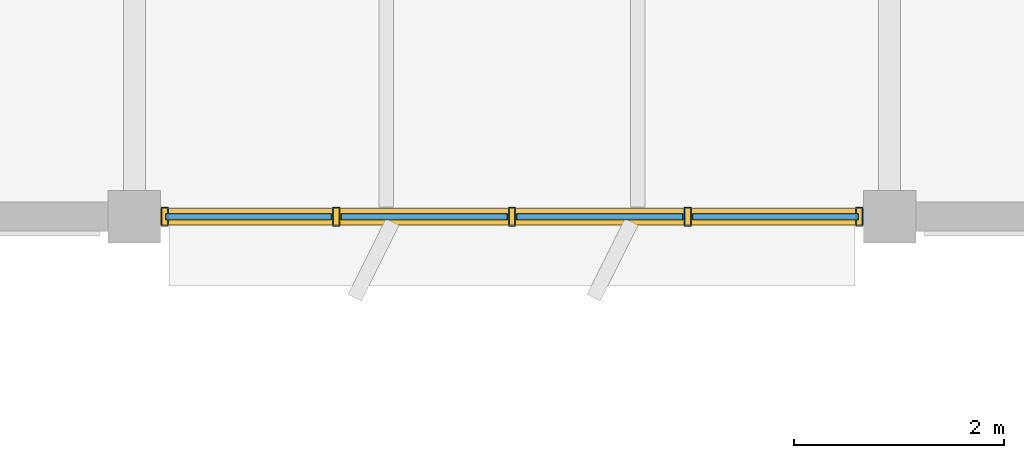
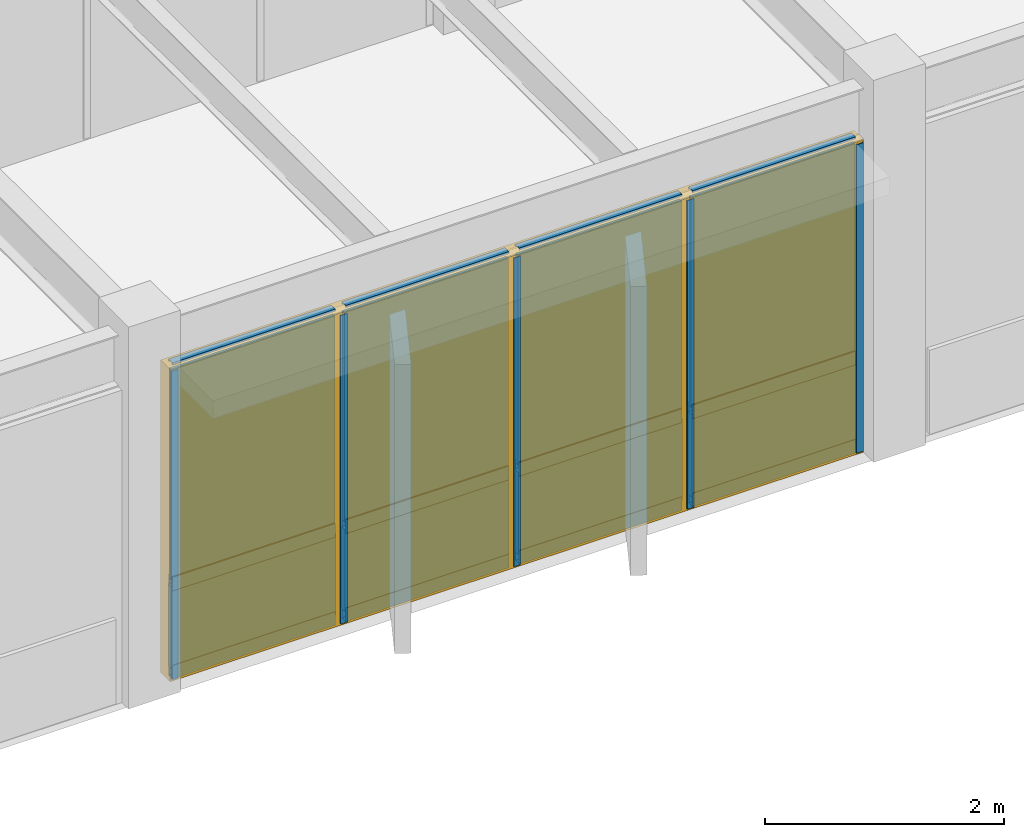
# One storey, part 13 of 23: 17 members, 8 plates, 1 curtain wall.
"""IFC4 building model written with IfcOpenShell, lengths in metres."""

from ifc_helpers import new_model, si_unit, direction, frame, origin, origin_2d, place, context, subcontext, project, spatial, rectangle, hollow_rectangle, extrude, material, layer, layer_set, material_profile, profile_set, type_object, element, aggregate, save


model = new_model("IFC4")

# Units and contexts
model_context = context("Model", 3, precision=1e-05, world=origin(), true_north=direction((0.0, 1.0)))
body_context = subcontext(model_context, "Body", "Model", "MODEL_VIEW")
ifc_project = project(units=[si_unit("LENGTHUNIT", "METRE"), si_unit("AREAUNIT", "SQUARE_METRE"), si_unit("VOLUMEUNIT", "CUBIC_METRE"), si_unit("PLANEANGLEUNIT", "RADIAN"), si_unit("MASSUNIT", "GRAM", prefix="KILO")], contexts=[model_context])

# Member
ifc_material_1 = material(Name="Anodized Aluminium 6063-T6", Category="aluminium")
ifc_material_profile_1 = material_profile(ifc_material_1, hollow_rectangle(XDim=0.06494140625, YDim=0.179931640625, WallThickness=0.00390625, at=origin_2d()), Name="ALU 65x180x4")
ifc_profile_set_1 = profile_set([ifc_material_profile_1], Name="Anodized Aluminium 6063-T6")
member_type_1 = type_object("IfcMemberType", Name="CWM-65X150", PredefinedType="MULLION", material=ifc_profile_set_1)
site_placement = place(None, origin())
building_placement = place(site_placement, origin())
storey_placement = place(building_placement, frame((0.0, 0.0, 21.89990234375)))
member_1_placement = place(storey_placement, frame((86.110107421875, 108.0, 0.02001953125), z_axis=(0.0, 0.0, 1.0), x_axis=(1.0, 0.0, 0.0)))
member_1 = element("IfcMember", 1, at=member_1_placement, type_object=member_type_1, Name="Curtain wall mullion CW-L06-11-15-S-00", PredefinedType="MULLION", context=body_context, shape_type="SweptSolid", body=[
    extrude(hollow_rectangle(XDim=0.06494140625, YDim=0.179931640625, WallThickness=0.00390625, at=origin_2d()), origin(), (0.0, 0.0, 1.0), 3.152099609375),
])

member_2_placement = place(storey_placement, frame((84.47509765625, 108.0, 0.02001953125), z_axis=(0.0, 0.0, 1.0), x_axis=(1.0, 0.0, 0.0)))
member_2 = element("IfcMember", 2, at=member_2_placement, type_object=member_type_1, Name="Curtain wall mullion CW-L06-11-15-S-01", PredefinedType="MULLION", context=body_context, shape_type="SweptSolid", body=[
    extrude(hollow_rectangle(XDim=0.06494140625, YDim=0.179931640625, WallThickness=0.00390625, at=origin_2d()), origin(), (0.0, 0.0, 1.0), 3.152099609375),
])

member_3_placement = place(storey_placement, frame((82.800048828125, 108.0, 0.02001953125), z_axis=(0.0, 0.0, 1.0), x_axis=(1.0, 0.0, 0.0)))
member_3 = element("IfcMember", 3, at=member_3_placement, type_object=member_type_1, Name="Curtain wall mullion CW-L06-11-15-S-02", PredefinedType="MULLION", context=body_context, shape_type="SweptSolid", body=[
    extrude(hollow_rectangle(XDim=0.06494140625, YDim=0.179931640625, WallThickness=0.00390625, at=origin_2d()), origin(), (0.0, 0.0, 1.0), 3.152099609375),
])

member_4_placement = place(storey_placement, frame((81.125, 108.0, 0.02001953125), z_axis=(0.0, 0.0, 1.0), x_axis=(1.0, 0.0, 0.0)))
member_4 = element("IfcMember", 4, at=member_4_placement, type_object=member_type_1, Name="Curtain wall mullion CW-L06-11-15-S-03", PredefinedType="MULLION", context=body_context, shape_type="SweptSolid", body=[
    extrude(hollow_rectangle(XDim=0.06494140625, YDim=0.179931640625, WallThickness=0.00390625, at=origin_2d()), origin(), (0.0, 0.0, 1.0), 3.152099609375),
])

member_5_placement = place(storey_placement, frame((79.489990234375, 108.0, 0.02001953125), z_axis=(0.0, 0.0, 1.0), x_axis=(1.0, 0.0, 0.0)))
member_5 = element("IfcMember", 5, at=member_5_placement, type_object=member_type_1, Name="Curtain wall mullion CW-L06-11-15-S-04", PredefinedType="MULLION", context=body_context, shape_type="SweptSolid", body=[
    extrude(hollow_rectangle(XDim=0.06494140625, YDim=0.179931640625, WallThickness=0.00390625, at=origin_2d()), origin(), (0.0, 0.0, 1.0), 3.152099609375),
])

ifc_material_profile_2 = material_profile(ifc_material_1, hollow_rectangle(XDim=0.06494140625, YDim=0.139892578125, WallThickness=0.00390625, at=origin_2d()), Name="ALU 65x140x4")
ifc_profile_set_2 = profile_set([ifc_material_profile_2], Name="Anodized Aluminium 6063-T6")
member_type_2 = type_object("IfcMemberType", Name="CWT-65X120", PredefinedType="USERDEFINED", material=ifc_profile_set_2)
member_6_placement = place(storey_placement, frame((86.10009765625, 108.0, 0.050048828125), z_axis=(-1.0, 0.0, 0.0), x_axis=(0.0, -1.0, 0.0)))
member_6 = element("IfcMember", 6, at=member_6_placement, type_object=member_type_2, Name="Curtain wall transom CW-L06-11-15-S-1.01", ObjectType="TRANSOM", PredefinedType="USERDEFINED", context=body_context, shape_type="SweptSolid", body=[
    extrude(hollow_rectangle(XDim=0.06494140625, YDim=0.139892578125, WallThickness=0.00390625, at=origin_2d()), origin(), (0.0, 0.0, 1.0), 1.5751953125),
])

member_7_placement = place(storey_placement, frame((84.425048828125, 108.0, 0.050048828125), z_axis=(-1.0, 0.0, 0.0), x_axis=(0.0, -1.0, 0.0)))
member_7 = element("IfcMember", 7, at=member_7_placement, type_object=member_type_2, Name="Curtain wall transom CW-L06-11-15-S-1.02", ObjectType="TRANSOM", PredefinedType="USERDEFINED", context=body_context, shape_type="SweptSolid", body=[
    extrude(hollow_rectangle(XDim=0.06494140625, YDim=0.139892578125, WallThickness=0.00390625, at=origin_2d()), origin(), (0.0, 0.0, 1.0), 1.574951171875),
])

member_8_placement = place(storey_placement, frame((82.75, 108.0, 0.050048828125), z_axis=(-1.0, 0.0, 0.0), x_axis=(0.0, -1.0, 0.0)))
member_8 = element("IfcMember", 8, at=member_8_placement, type_object=member_type_2, Name="Curtain wall transom CW-L06-11-15-S-1.03", ObjectType="TRANSOM", PredefinedType="USERDEFINED", context=body_context, shape_type="SweptSolid", body=[
    extrude(hollow_rectangle(XDim=0.06494140625, YDim=0.139892578125, WallThickness=0.00390625, at=origin_2d()), origin(), (0.0, 0.0, 1.0), 1.574951171875),
])

member_9_placement = place(storey_placement, frame((81.074951171875, 108.0, 0.050048828125), z_axis=(-1.0, 0.0, 0.0), x_axis=(0.0, -1.0, 0.0)))
member_9 = element("IfcMember", 9, at=member_9_placement, type_object=member_type_2, Name="Curtain wall transom CW-L06-11-15-S-1.04", ObjectType="TRANSOM", PredefinedType="USERDEFINED", context=body_context, shape_type="SweptSolid", body=[
    extrude(hollow_rectangle(XDim=0.06494140625, YDim=0.139892578125, WallThickness=0.00390625, at=origin_2d()), origin(), (0.0, 0.0, 1.0), 1.574951171875),
])

member_10_placement = place(storey_placement, frame((86.10009765625, 108.0, 0.9501953125), z_axis=(-1.0, 0.0, 0.0), x_axis=(0.0, -1.0, 0.0)))
member_10 = element("IfcMember", 10, at=member_10_placement, type_object=member_type_2, Name="Curtain wall transom CW-L06-11-15-S-2.01", ObjectType="TRANSOM", PredefinedType="USERDEFINED", context=body_context, shape_type="SweptSolid", body=[
    extrude(hollow_rectangle(XDim=0.06494140625, YDim=0.139892578125, WallThickness=0.00390625, at=origin_2d()), origin(), (0.0, 0.0, 1.0), 1.5751953125),
])

member_11_placement = place(storey_placement, frame((84.425048828125, 108.0, 0.9501953125), z_axis=(-1.0, 0.0, 0.0), x_axis=(0.0, -1.0, 0.0)))
member_11 = element("IfcMember", 11, at=member_11_placement, type_object=member_type_2, Name="Curtain wall transom CW-L06-11-15-S-2.02", ObjectType="TRANSOM", PredefinedType="USERDEFINED", context=body_context, shape_type="SweptSolid", body=[
    extrude(hollow_rectangle(XDim=0.06494140625, YDim=0.139892578125, WallThickness=0.00390625, at=origin_2d()), origin(), (0.0, 0.0, 1.0), 1.574951171875),
])

member_12_placement = place(storey_placement, frame((82.75, 108.0, 0.9501953125), z_axis=(-1.0, 0.0, 0.0), x_axis=(0.0, -1.0, 0.0)))
member_12 = element("IfcMember", 12, at=member_12_placement, type_object=member_type_2, Name="Curtain wall transom CW-L06-11-15-S-2.03", ObjectType="TRANSOM", PredefinedType="USERDEFINED", context=body_context, shape_type="SweptSolid", body=[
    extrude(hollow_rectangle(XDim=0.06494140625, YDim=0.139892578125, WallThickness=0.00390625, at=origin_2d()), origin(), (0.0, 0.0, 1.0), 1.574951171875),
])

member_13_placement = place(storey_placement, frame((81.074951171875, 108.0, 0.9501953125), z_axis=(-1.0, 0.0, 0.0), x_axis=(0.0, -1.0, 0.0)))
member_13 = element("IfcMember", 13, at=member_13_placement, type_object=member_type_2, Name="Curtain wall transom CW-L06-11-15-S-2.04", ObjectType="TRANSOM", PredefinedType="USERDEFINED", context=body_context, shape_type="SweptSolid", body=[
    extrude(hollow_rectangle(XDim=0.06494140625, YDim=0.139892578125, WallThickness=0.00390625, at=origin_2d()), origin(), (0.0, 0.0, 1.0), 1.574951171875),
])

member_14_placement = place(storey_placement, frame((86.10009765625, 108.0, 3.14208984375), z_axis=(-1.0, 0.0, 0.0), x_axis=(0.0, -1.0, 0.0)))
member_14 = element("IfcMember", 14, at=member_14_placement, type_object=member_type_2, Name="Curtain wall transom CW-L06-11-15-S-3.01", ObjectType="TRANSOM", PredefinedType="USERDEFINED", context=body_context, shape_type="SweptSolid", body=[
    extrude(hollow_rectangle(XDim=0.06494140625, YDim=0.139892578125, WallThickness=0.00390625, at=origin_2d()), origin(), (0.0, 0.0, 1.0), 1.5751953125),
])

member_15_placement = place(storey_placement, frame((84.425048828125, 108.0, 3.14208984375), z_axis=(-1.0, 0.0, 0.0), x_axis=(0.0, -1.0, 0.0)))
member_15 = element("IfcMember", 15, at=member_15_placement, type_object=member_type_2, Name="Curtain wall transom CW-L06-11-15-S-3.02", ObjectType="TRANSOM", PredefinedType="USERDEFINED", context=body_context, shape_type="SweptSolid", body=[
    extrude(hollow_rectangle(XDim=0.06494140625, YDim=0.139892578125, WallThickness=0.00390625, at=origin_2d()), origin(), (0.0, 0.0, 1.0), 1.574951171875),
])

member_16_placement = place(storey_placement, frame((82.75, 108.0, 3.14208984375), z_axis=(-1.0, 0.0, 0.0), x_axis=(0.0, -1.0, 0.0)))
member_16 = element("IfcMember", 16, at=member_16_placement, type_object=member_type_2, Name="Curtain wall transom CW-L06-11-15-S-3.03", ObjectType="TRANSOM", PredefinedType="USERDEFINED", context=body_context, shape_type="SweptSolid", body=[
    extrude(hollow_rectangle(XDim=0.06494140625, YDim=0.139892578125, WallThickness=0.00390625, at=origin_2d()), origin(), (0.0, 0.0, 1.0), 1.574951171875),
])

member_17_placement = place(storey_placement, frame((81.074951171875, 108.0, 3.14208984375), z_axis=(-1.0, 0.0, 0.0), x_axis=(0.0, -1.0, 0.0)))
member_17 = element("IfcMember", 17, at=member_17_placement, type_object=member_type_2, Name="Curtain wall transom CW-L06-11-15-S-3.04", ObjectType="TRANSOM", PredefinedType="USERDEFINED", context=body_context, shape_type="SweptSolid", body=[
    extrude(hollow_rectangle(XDim=0.06494140625, YDim=0.139892578125, WallThickness=0.00390625, at=origin_2d()), origin(), (0.0, 0.0, 1.0), 1.574951171875),
])

# Plate
ifc_material_2 = material(Name="Double Low-E Insulated Glazing Unit", Category="glass")
ifc_layer_1 = layer(ifc_material_2, 0.0380859375)
ifc_layer_set_1 = layer_set([ifc_layer_1], Name="Double Low-E Insulated Glazing Unit")
plate_type_1 = type_object("IfcPlateType", Name="CWP-IGU-38", PredefinedType="CURTAIN_PANEL", material=ifc_layer_set_1)
plate_1_placement = place(storey_placement, frame((85.3125, 108.0, 0.989990234375), z_axis=(0.0, 0.0, 1.0), x_axis=(-1.0, 0.0, 0.0)))
plate_1 = element("IfcPlate", 18, at=plate_1_placement, type_object=plate_type_1, Name="Curtain wall vision glazing CW-L06-11-15-S-01", PredefinedType="CURTAIN_PANEL", context=body_context, shape_type="SweptSolid", body=[
    extrude(rectangle(XDim=1.5849609375, YDim=0.0400390625, at=origin_2d()), origin(), (0.0, 0.0, 1.0), 2.14208984375),
])

plate_2_placement = place(storey_placement, frame((83.637451171875, 108.0, 0.989990234375), z_axis=(0.0, 0.0, 1.0), x_axis=(-1.0, 0.0, 0.0)))
plate_2 = element("IfcPlate", 19, at=plate_2_placement, type_object=plate_type_1, Name="Curtain wall vision glazing CW-L06-11-15-S-02", PredefinedType="CURTAIN_PANEL", context=body_context, shape_type="SweptSolid", body=[
    extrude(rectangle(XDim=1.5849609375, YDim=0.0400390625, at=origin_2d()), origin(), (0.0, 0.0, 1.0), 2.14208984375),
])

plate_3_placement = place(storey_placement, frame((81.96240234375, 108.0, 0.989990234375), z_axis=(0.0, 0.0, 1.0), x_axis=(-1.0, 0.0, 0.0)))
plate_3 = element("IfcPlate", 20, at=plate_3_placement, type_object=plate_type_1, Name="Curtain wall vision glazing CW-L06-11-15-S-03", PredefinedType="CURTAIN_PANEL", context=body_context, shape_type="SweptSolid", body=[
    extrude(rectangle(XDim=1.5849609375, YDim=0.0400390625, at=origin_2d()), origin(), (0.0, 0.0, 1.0), 2.14208984375),
])

plate_4_placement = place(storey_placement, frame((80.28759765625, 108.0, 0.989990234375), z_axis=(0.0, 0.0, 1.0), x_axis=(-1.0, 0.0, 0.0)))
plate_4 = element("IfcPlate", 21, at=plate_4_placement, type_object=plate_type_1, Name="Curtain wall vision glazing CW-L06-11-15-S-04", PredefinedType="CURTAIN_PANEL", context=body_context, shape_type="SweptSolid", body=[
    extrude(rectangle(XDim=1.5849609375, YDim=0.0400390625, at=origin_2d()), origin(), (0.0, 0.0, 1.0), 2.14208984375),
])

ifc_material_3 = material(Name="Insulated Bronze Aluminium Spandrel", Category="aluminium")
ifc_layer_2 = layer(ifc_material_3, 0.06005859375)
ifc_layer_set_2 = layer_set([ifc_layer_2], Name="Insulated Bronze Aluminium Spandrel")
plate_type_2 = type_object("IfcPlateType", Name="CWP-SPN-60", PredefinedType="CURTAIN_PANEL", material=ifc_layer_set_2)
plate_5_placement = place(storey_placement, frame((85.3125, 108.0, 0.080078125), z_axis=(0.0, 0.0, 1.0), x_axis=(-1.0, 0.0, 0.0)))
plate_5 = element("IfcPlate", 22, at=plate_5_placement, type_object=plate_type_2, Name="Curtain wall spandrel panel CW-L06-11-15-S-01", PredefinedType="CURTAIN_PANEL", context=body_context, shape_type="SweptSolid", body=[
    extrude(rectangle(XDim=1.5849609375, YDim=0.06005859375, at=origin_2d()), origin(), (0.0, 0.0, 1.0), 0.840087890625),
])

plate_6_placement = place(storey_placement, frame((83.637451171875, 108.0, 0.080078125), z_axis=(0.0, 0.0, 1.0), x_axis=(-1.0, 0.0, 0.0)))
plate_6 = element("IfcPlate", 23, at=plate_6_placement, type_object=plate_type_2, Name="Curtain wall spandrel panel CW-L06-11-15-S-02", PredefinedType="CURTAIN_PANEL", context=body_context, shape_type="SweptSolid", body=[
    extrude(rectangle(XDim=1.5849609375, YDim=0.06005859375, at=origin_2d()), origin(), (0.0, 0.0, 1.0), 0.840087890625),
])

plate_7_placement = place(storey_placement, frame((81.96240234375, 108.0, 0.080078125), z_axis=(0.0, 0.0, 1.0), x_axis=(-1.0, 0.0, 0.0)))
plate_7 = element("IfcPlate", 24, at=plate_7_placement, type_object=plate_type_2, Name="Curtain wall spandrel panel CW-L06-11-15-S-03", PredefinedType="CURTAIN_PANEL", context=body_context, shape_type="SweptSolid", body=[
    extrude(rectangle(XDim=1.5849609375, YDim=0.06005859375, at=origin_2d()), origin(), (0.0, 0.0, 1.0), 0.840087890625),
])

plate_8_placement = place(storey_placement, frame((80.28759765625, 108.0, 0.080078125), z_axis=(0.0, 0.0, 1.0), x_axis=(-1.0, 0.0, 0.0)))
plate_8 = element("IfcPlate", 25, at=plate_8_placement, type_object=plate_type_2, Name="Curtain wall spandrel panel CW-L06-11-15-S-04", PredefinedType="CURTAIN_PANEL", context=body_context, shape_type="SweptSolid", body=[
    extrude(rectangle(XDim=1.5849609375, YDim=0.06005859375, at=origin_2d()), origin(), (0.0, 0.0, 1.0), 0.840087890625),
])

# Site, building, storey
site = spatial("IfcSite", under=ifc_project, at=site_placement, CompositionType="ELEMENT")
building = spatial("IfcBuilding", under=site, at=building_placement, Name="Sillqori Civic Hall", CompositionType="ELEMENT")
storey = spatial("IfcBuildingStorey", under=building, at=storey_placement, Name="L06", CompositionType="ELEMENT", Elevation=21.89990234375)

# Curtain wall
ifc_material_4 = material(Name="Anodized Aluminium Curtain Wall System", Category="aluminium")
curtain_wall_type = type_object("IfcCurtainWallType", Name="CW-EX-375", PredefinedType="NOTDEFINED", material=ifc_material_4)
curtain_wall_placement = place(storey_placement, frame((82.800048828125, 108.0, 0.000244140625), z_axis=(0.0, 0.0, 1.0), x_axis=(-1.0, 0.0, 0.0)))
curtain_wall = element("IfcCurtainWall", 26, at=curtain_wall_placement, inside=storey, type_object=curtain_wall_type, Name="L06 unitised curtain wall CW-L06-11-15-S", PredefinedType="NOTDEFINED", context=body_context, shape_type="SweptSolid", body=[
    extrude(rectangle(XDim=6.699951171875, YDim=0.159912109375, at=origin_2d()), origin(), (0.0, 0.0, 1.0), 3.19189453125),
])

aggregate(curtain_wall, [member_1, member_2, member_3, member_4, member_5, member_6, member_7, member_8, member_9, member_10, member_11, member_12, member_13, member_14, member_15, member_16, member_17, plate_5, plate_1, plate_6, plate_2, plate_7, plate_3, plate_8, plate_4])

save(model, "model.ifc")
